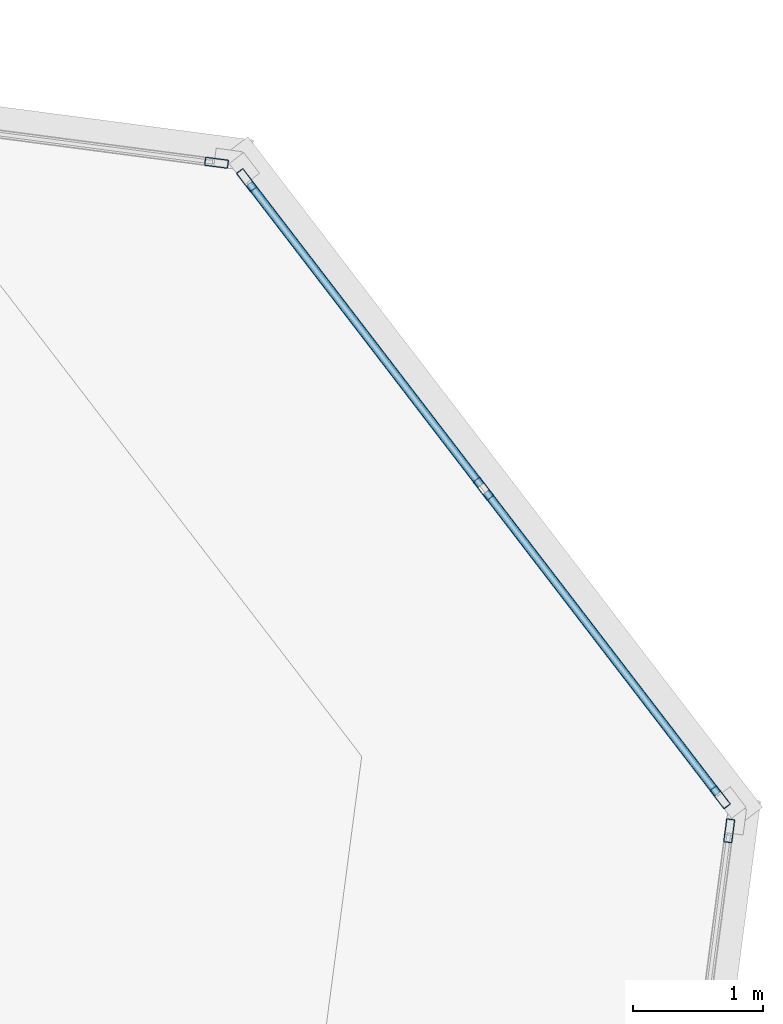
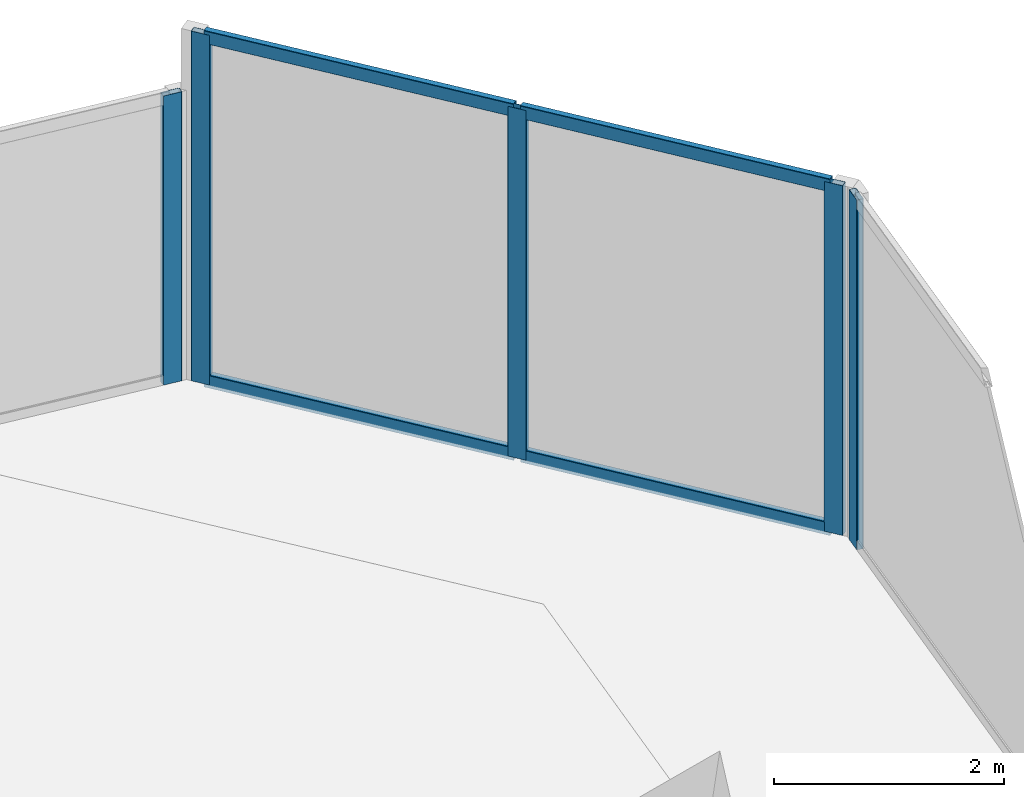
# One storey, part 12 of 24: 9 members, 3 elements without a shape of their own.
"""IFC4 building model written with IfcOpenShell, lengths in metres."""

import ifcopenshell
import ifcopenshell.guid

model = None  # the IFC model being written
_history = None  # IfcOwnerHistory: only IFC2X3 demands one
_inside = {}  # id of a spatial element -> (the spatial element, [elements in it])
_under = {}  # id of a project, library or spatial element -> (it, [spatial elements below it])
_declared = {}  # id of a project -> (the project, [libraries it declares])
_typed = {}  # id of a type object -> (the type object, [elements of that type])
_made_of = {}  # id of a material, layer set ... -> (it, [elements and type objects made of it])


def new_model(schema):
    """Start an empty IFC model of exactly this schema.

    Asked for "IFC4X3", IfcOpenShell would pick the latest addendum, in which some entities
    have other attributes; the version numbers below select the first issue.
    IFC2X3 requires an IfcOwnerHistory on every rooted entity: one is made here for all.
    """
    global model, _history
    if schema == "IFC4X3":
        model = ifcopenshell.file(schema_version=(4, 3, 0, 0))
    else:
        model = ifcopenshell.file(schema=schema)
    _inside.clear()
    _under.clear()
    _declared.clear()
    _typed.clear()
    _made_of.clear()
    _history = None
    if model.schema == "IFC2X3":
        org = make("IfcOrganization", Name="unknown")
        user = make(
            "IfcPersonAndOrganization",
            ThePerson=make("IfcPerson", FamilyName="unknown"),
            TheOrganization=org,
        )
        app = make(
            "IfcApplication",
            ApplicationDeveloper=org,
            Version="unknown",
            ApplicationFullName="unknown",
            ApplicationIdentifier="unknown",
        )
        _history = make(
            "IfcOwnerHistory",
            OwningUser=user,
            OwningApplication=app,
            ChangeAction="ADDED",
            CreationDate=0,
        )
    return model


def make(cls, **values):
    """One entity of the class cls with the attributes given. An attribute that is None is left unset."""
    return model.create_entity(
        cls, **{name: value for name, value in values.items() if value is not None}
    )


def rooted(cls, **values):
    """An entity with a GlobalId (a new one), such as an element, a storey or a relation."""
    return make(cls, GlobalId=ifcopenshell.guid.new(), OwnerHistory=_history, **values)


def si_unit(unit_type, name, prefix=None):
    """IfcSIUnit, for example si_unit("LENGTHUNIT", "METRE", prefix="MILLI")."""
    return make("IfcSIUnit", UnitType=unit_type, Prefix=prefix, Name=name)


def assignment(units):
    """IfcUnitAssignment: the units of a project."""
    return None if units is None else make("IfcUnitAssignment", Units=units)


def point(xyz):
    """IfcCartesianPoint."""
    return None if xyz is None else make("IfcCartesianPoint", Coordinates=xyz)


def direction(xyz):
    """IfcDirection."""
    return None if xyz is None else make("IfcDirection", DirectionRatios=xyz)


def frame(location, z_axis=None, x_axis=None):
    """IfcAxis2Placement3D, a coordinate frame: its origin and axes. An axis left out is left unset."""
    return make(
        "IfcAxis2Placement3D",
        Location=point(location),
        Axis=direction(z_axis),
        RefDirection=direction(x_axis),
    )


def frame_2d(location, x_axis=None):
    """IfcAxis2Placement2D, a coordinate frame in the plane: its origin and x axis."""
    return make(
        "IfcAxis2Placement2D", Location=point(location), RefDirection=direction(x_axis)
    )


def origin():
    """The frame at (0, 0, 0) with its axes left unset."""
    return frame((0.0, 0.0, 0.0))


def origin_2d():
    """The frame at (0, 0) in the plane with its x axis left unset."""
    return frame_2d((0.0, 0.0))


def place(relative_to, where):
    """IfcLocalPlacement: puts the frame where relative to a parent placement (None: the world)."""
    return make(
        "IfcLocalPlacement", PlacementRelTo=relative_to, RelativePlacement=where
    )


def context(
    kind, dimensions, precision=None, world=None, true_north=None, identifier=None
):
    """IfcGeometricRepresentationContext, for example the 3D "Model" context."""
    return make(
        "IfcGeometricRepresentationContext",
        ContextIdentifier=identifier,
        ContextType=kind,
        CoordinateSpaceDimension=dimensions,
        Precision=precision,
        WorldCoordinateSystem=world,
        TrueNorth=true_north,
    )


def subcontext(parent, identifier, kind, view, scale=None):
    """IfcGeometricRepresentationSubContext, for example "Body" below "Model"."""
    return make(
        "IfcGeometricRepresentationSubContext",
        ContextIdentifier=identifier,
        ContextType=kind,
        ParentContext=parent,
        TargetScale=scale,
        TargetView=view,
    )


def project(units=None, contexts=None):
    """IfcProject with its units and contexts."""
    return rooted(
        "IfcProject",
        Name="project",
        RepresentationContexts=contexts,
        UnitsInContext=assignment(units),
    )


def spatial(cls, under=None, at=None, **own):
    """A site, building, storey or space (cls), placed at a placement, below another one or the project."""
    s = rooted(cls, ObjectPlacement=at, **own)
    if under is not None:
        _under.setdefault(under.id(), (under, []))[1].append(s)
    return s


def profile(cls, at=None, kind="AREA", **sizes):
    """A parametric profile (cls). Its sizes go by their IFC names, for example OverallWidth=200.0."""
    return make(cls, ProfileType=kind, Position=at, **sizes)


def hollow_rectangle(**sizes):
    """IfcRectangleHollowProfileDef."""
    return profile("IfcRectangleHollowProfileDef", **sizes)


def extrude(swept, where, along, depth):
    """IfcExtrudedAreaSolid: the profile swept, set in the frame where, extruded along a direction by depth."""
    return make(
        "IfcExtrudedAreaSolid",
        SweptArea=swept,
        Position=where,
        ExtrudedDirection=direction(along),
        Depth=depth,
    )


def shape(context_of_items, identifier, shape_type, items):
    """IfcShapeRepresentation: the items that make up one representation, for example the "Body"."""
    return make(
        "IfcShapeRepresentation",
        ContextOfItems=context_of_items,
        RepresentationIdentifier=identifier,
        RepresentationType=shape_type,
        Items=items,
    )


def source(mapping_origin, context_of_items, identifier, shape_type, items):
    """IfcRepresentationMap: a shape defined once, which mapped items show again and again."""
    return make(
        "IfcRepresentationMap",
        MappingOrigin=mapping_origin,
        MappedRepresentation=shape(context_of_items, identifier, shape_type, items),
    )


def transform(
    local_origin,
    x_axis=None,
    y_axis=None,
    z_axis=None,
    scale=None,
    scale2=None,
    scale3=None,
    uniform=True,
):
    """IfcCartesianTransformationOperator3D, or its non-uniform kind. x_axis, y_axis, z_axis: its Axis1, 2, 3."""
    if uniform:
        return make(
            "IfcCartesianTransformationOperator3D",
            Axis1=direction(x_axis),
            Axis2=direction(y_axis),
            LocalOrigin=point(local_origin),
            Scale=scale,
            Axis3=direction(z_axis),
        )
    return make(
        "IfcCartesianTransformationOperator3DnonUniform",
        Axis1=direction(x_axis),
        Axis2=direction(y_axis),
        LocalOrigin=point(local_origin),
        Scale=scale,
        Axis3=direction(z_axis),
        Scale2=scale2,
        Scale3=scale3,
    )


def mapped(mapping_source, mapping_target):
    """IfcMappedItem: shows the shape of a source again, moved by a transform."""
    return make(
        "IfcMappedItem", MappingSource=mapping_source, MappingTarget=mapping_target
    )


def material(Name=None, Category=None):
    """IfcMaterial."""
    return make("IfcMaterial", Name=Name, Category=Category)


def material_profile(
    of_material, cross_section, Name=None, Category=None, Priority=None
):
    """IfcMaterialProfile: a cross section and its material."""
    return make(
        "IfcMaterialProfile",
        Name=Name,
        Material=of_material,
        Profile=cross_section,
        Priority=Priority,
        Category=Category,
    )


def profile_set(profiles, Name=None, composite=None):
    """IfcMaterialProfileSet."""
    return make(
        "IfcMaterialProfileSet",
        Name=Name,
        MaterialProfiles=profiles,
        CompositeProfile=composite,
    )


def made_of(thing, what):
    """Note that an element or type object is made of a material, layer set ...; save() writes the relation."""
    if what is not None:
        _made_of.setdefault(what.id(), (what, []))[1].append(thing)
    return thing


def type_object(cls, material=None, **own):
    """A type object (cls), such as IfcWallType, which elements share."""
    return made_of(rooted(cls, **own), material)


def element(
    cls,
    number,
    at=None,
    inside=None,
    cuts=None,
    type_object=None,
    material=None,
    context=None,
    identifier="Body",
    shape_type=None,
    held_by="IfcProductDefinitionShape",
    body=None,
    shapes=None,
    **own,
):
    """One element of the class cls, such as IfcWall. Its Tag is "e" and its number.

    at: its placement. inside: the storey or other place that contains it. cuts: it is an
    opening in that element (IfcRelVoidsElement). A single representation is given by context,
    identifier, shape_type and body (its items); several are given by shapes. held_by: the class
    of the entity that holds the representations. save() writes the other relations.
    """
    e = rooted(cls, Tag="e%d" % number, ObjectPlacement=at, **own)
    if body is not None:
        shapes = [shape(context, identifier, shape_type, body)]
    if shapes is not None:
        e.Representation = make(held_by, Representations=shapes)
    if inside is not None:
        _inside.setdefault(inside.id(), (inside, []))[1].append(e)
    if cuts is not None:
        rooted(
            "IfcRelVoidsElement", RelatingBuildingElement=cuts, RelatedOpeningElement=e
        )
    if type_object is not None:
        _typed.setdefault(type_object.id(), (type_object, []))[1].append(e)
    return made_of(e, material)


def aggregate(whole, parts):
    """IfcRelAggregates: a whole, such as a stair, and the parts it consists of."""
    return rooted("IfcRelAggregates", RelatingObject=whole, RelatedObjects=parts)


def save(model, path):
    """Write the relations noted so far, then the file.

    IfcRelAggregates (storeys below a building ...), IfcRelContainedInSpatialStructure (elements
    in a storey), IfcRelDefinesByType, IfcRelAssociatesMaterial and IfcRelDeclares: one each for
    every whole, place, type object, material and project.
    """
    for whole, parts in _under.values():
        aggregate(whole, parts)
    for where, things in _inside.values():
        rooted(
            "IfcRelContainedInSpatialStructure",
            RelatedElements=things,
            RelatingStructure=where,
        )
    for kind, things in _typed.values():
        rooted("IfcRelDefinesByType", RelatedObjects=things, RelatingType=kind)
    for what, things in _made_of.values():
        rooted("IfcRelAssociatesMaterial", RelatedObjects=things, RelatingMaterial=what)
    for by, libraries in _declared.values():
        rooted("IfcRelDeclares", RelatingContext=by, RelatedDefinitions=libraries)
    model.write(path)


model = new_model("IFC4")

# Units and contexts
model_context = context("Model", 3, precision=1e-05, world=origin(), true_north=direction((0.0, 1.0)))
body_context = subcontext(model_context, "Body", "Model", "MODEL_VIEW")
ifc_project = project(units=[si_unit("LENGTHUNIT", "METRE"), si_unit("AREAUNIT", "SQUARE_METRE"), si_unit("VOLUMEUNIT", "CUBIC_METRE"), si_unit("PLANEANGLEUNIT", "RADIAN"), si_unit("MASSUNIT", "GRAM", prefix="KILO")], contexts=[model_context])

# Site, building, storey
site_placement = place(None, origin())
site = spatial("IfcSite", under=ifc_project, at=site_placement, CompositionType="ELEMENT")
building_placement = place(site_placement, origin())
building = spatial("IfcBuilding", under=site, at=building_placement, Name="Torre Montelarca", CompositionType="ELEMENT")
storey_placement = place(building_placement, frame((0.0, 0.0, 70.60009765625)))
storey = spatial("IfcBuildingStorey", under=building, at=storey_placement, Name="L15", CompositionType="ELEMENT", Elevation=70.60009765625)

# Curtain wall, members
ifc_material_1 = material(Name="Insulated low-E laminated glass", Category="glass")
curtain_wall_type = type_object("IfcCurtainWallType", Name="CW-SYS-Z1", PredefinedType="USERDEFINED", material=ifc_material_1)
curtain_wall_1_placement = place(storey_placement, origin())
curtain_wall_1 = element("IfcCurtainWall", 1, at=curtain_wall_1_placement, inside=storey, type_object=curtain_wall_type, Name="L15 Curtain Wall Run CW-T3-L15-E07-B1", ObjectType="UNITISED GLAZING", PredefinedType="USERDEFINED")
ifc_material_2 = material(Name="Anodised aluminium AA 6063-T6", Category="aluminium")
ifc_material_profile_1 = material_profile(ifc_material_2, hollow_rectangle(XDim=0.06494140625, YDim=0.139892578125, WallThickness=0.00390625, InnerFilletRadius=0.00390625, OuterFilletRadius=0.008056640625, at=origin_2d()), Name="ALU65X140X4", Category="aluminium")
ifc_profile_set_1 = profile_set([ifc_material_profile_1], Name="Anodised aluminium AA 6063-T6")
member_type_1 = type_object("IfcMemberType", Name="CWT-ALU140", PredefinedType="USERDEFINED", material=ifc_profile_set_1)
shared_shape_1 = source(origin(), body_context, "Body", "SweptSolid", [
    extrude(hollow_rectangle(XDim=0.06494140625, YDim=0.139892578125, WallThickness=0.00390625, InnerFilletRadius=0.00390625, OuterFilletRadius=0.008056640625, at=origin_2d()), origin(), (0.0, 0.0, 1.0), 2.918701171875),
])
member_1_placement = place(storey_placement, frame((64.82080078125, 38.169677734375, 0.032470703125), z_axis=(-0.608796748058, 0.793326237783, 0.0), x_axis=(-0.793326237783, -0.608796748058, 0.0)))
member_1 = element("IfcMember", 2, at=member_1_placement, type_object=member_type_1, Name="CW transom 1.1", ObjectType="TRANSOM", PredefinedType="USERDEFINED", context=body_context, shape_type="MappedRepresentation", body=[
    mapped(shared_shape_1, transform((0.0, 0.0, 0.0), scale=1.0)),
])
member_2_placement = place(storey_placement, frame((64.82080078125, 38.169677734375, 3.6875), z_axis=(-0.608796748058, 0.793326237783, 0.0), x_axis=(-0.793326237783, -0.608796748058, 0.0)))
member_2 = element("IfcMember", 3, at=member_2_placement, type_object=member_type_1, Name="CW transom 1.2", ObjectType="TRANSOM", PredefinedType="USERDEFINED", context=body_context, shape_type="MappedRepresentation", body=[
    mapped(shared_shape_1, transform((0.0, 0.0, 0.0), scale=1.0)),
])
member_3_placement = place(storey_placement, frame((63.00439453125, 40.53662109375, 0.032470703125), z_axis=(-0.608703699202, 0.793397634593, 0.0), x_axis=(-0.793397634593, -0.608703699202, 0.0)))
member_3 = element("IfcMember", 4, at=member_3_placement, type_object=member_type_1, Name="CW transom 2.1", ObjectType="TRANSOM", PredefinedType="USERDEFINED", context=body_context, shape_type="MappedRepresentation", body=[
    mapped(shared_shape_1, transform((0.0, 0.0, 0.0), scale=1.0)),
])
member_4_placement = place(storey_placement, frame((63.00439453125, 40.53662109375, 3.6875), z_axis=(-0.608703699202, 0.793397634593, 0.0), x_axis=(-0.793397634593, -0.608703699202, 0.0)))
member_4 = element("IfcMember", 5, at=member_4_placement, type_object=member_type_1, Name="CW transom 2.2", ObjectType="TRANSOM", PredefinedType="USERDEFINED", context=body_context, shape_type="MappedRepresentation", body=[
    mapped(shared_shape_1, transform((0.0, 0.0, 0.0), scale=1.0)),
])

# Curtain wall, member
curtain_wall_2_placement = place(storey_placement, origin())
curtain_wall_2 = element("IfcCurtainWall", 6, at=curtain_wall_2_placement, inside=storey, type_object=curtain_wall_type, Name="L15 Curtain Wall Run CW-T3-L15-E06-B1", ObjectType="UNITISED GLAZING", PredefinedType="USERDEFINED")
ifc_material_profile_2 = material_profile(ifc_material_2, hollow_rectangle(XDim=0.06494140625, YDim=0.179931640625, WallThickness=0.00390625, InnerFilletRadius=0.00390625, OuterFilletRadius=0.008056640625, at=origin_2d()), Name="ALU65X180X4", Category="aluminium")
ifc_profile_set_2 = profile_set([ifc_material_profile_2], Name="Anodised aluminium AA 6063-T6")
member_type_2 = type_object("IfcMemberType", Name="CWM-ALU180", PredefinedType="MULLION", material=ifc_profile_set_2)
shared_shape_2 = source(origin(), body_context, "Body", "SweptSolid", [
    extrude(hollow_rectangle(XDim=0.06494140625, YDim=0.179931640625, WallThickness=0.00390625, InnerFilletRadius=0.00390625, OuterFilletRadius=0.008056640625, at=origin_2d()), origin(), (0.0, 0.0, 1.0), 3.719970703125),
])
member_5_placement = place(storey_placement, frame((64.90966796875, 37.885986328125, 0.0), z_axis=(0.0, 0.0, 1.0), x_axis=(-0.991445845328, 0.130518718127, 0.0)))
member_5 = element("IfcMember", 7, at=member_5_placement, type_object=member_type_2, Name="CW mullion 3", PredefinedType="MULLION", context=body_context, shape_type="MappedRepresentation", body=[
    mapped(shared_shape_2, transform((0.0, 0.0, 0.0), scale=1.0)),
])
aggregate(curtain_wall_2, [member_5])

# Member
member_6_placement = place(storey_placement, frame((64.840576171875, 38.143798828125, 0.0), z_axis=(0.0, 0.0, 1.0), x_axis=(-0.793359224776, -0.608753760122, 0.0)))
member_6 = element("IfcMember", 8, at=member_6_placement, type_object=member_type_2, Name="CW mullion 1", PredefinedType="MULLION", context=body_context, shape_type="MappedRepresentation", body=[
    mapped(shared_shape_2, transform((0.0, 0.0, 0.0), scale=1.0)),
])

member_7_placement = place(storey_placement, frame((63.024169921875, 40.510986328125, 0.0), z_axis=(0.0, 0.0, 1.0), x_axis=(-0.793359224776, -0.608753760122, 0.0)))
member_7 = element("IfcMember", 9, at=member_7_placement, type_object=member_type_2, Name="CW mullion 2", PredefinedType="MULLION", context=body_context, shape_type="MappedRepresentation", body=[
    mapped(shared_shape_2, transform((0.0, 0.0, 0.0), scale=1.0)),
])

member_8_placement = place(storey_placement, frame((61.207763671875, 42.8779296875, 0.0), z_axis=(0.0, 0.0, 1.0), x_axis=(-0.793359224776, -0.608753760122, 0.0)))
member_8 = element("IfcMember", 10, at=member_8_placement, type_object=member_type_2, Name="CW mullion 3", PredefinedType="MULLION", context=body_context, shape_type="MappedRepresentation", body=[
    mapped(shared_shape_2, transform((0.0, 0.0, 0.0), scale=1.0)),
])

aggregate(curtain_wall_1, [member_6, member_7, member_8, member_1, member_2, member_3, member_4])

# Curtain wall, member
curtain_wall_3_placement = place(storey_placement, origin())
curtain_wall_3 = element("IfcCurtainWall", 11, at=curtain_wall_3_placement, inside=storey, type_object=curtain_wall_type, Name="L15 Curtain Wall Run CW-T3-L15-E08-B1", ObjectType="UNITISED GLAZING", PredefinedType="USERDEFINED")
shared_shape_3 = source(origin(), body_context, "Body", "SweptSolid", [
    extrude(hollow_rectangle(XDim=0.06494140625, YDim=0.179931640625, WallThickness=0.00390625, InnerFilletRadius=0.00390625, OuterFilletRadius=0.008056640625, at=origin_2d()), origin(), (0.0, 0.0, 1.0), 3.074951171875),
])
member_9_placement = place(storey_placement, frame((60.9765625, 43.011474609375, 0.0), z_axis=(0.0, 0.0, 1.0), x_axis=(-0.130525286859, -0.991444980566, 0.0)))
member_9 = element("IfcMember", 12, at=member_9_placement, type_object=member_type_2, Name="CW mullion 1", PredefinedType="MULLION", context=body_context, shape_type="MappedRepresentation", body=[
    mapped(shared_shape_3, transform((0.0, 0.0, 0.0), scale=1.0)),
])
aggregate(curtain_wall_3, [member_9])

save(model, "model.ifc")
